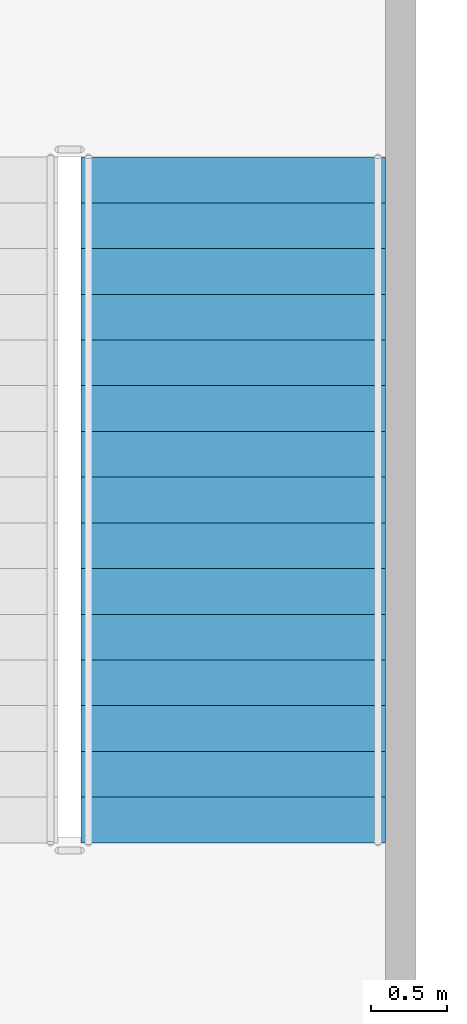
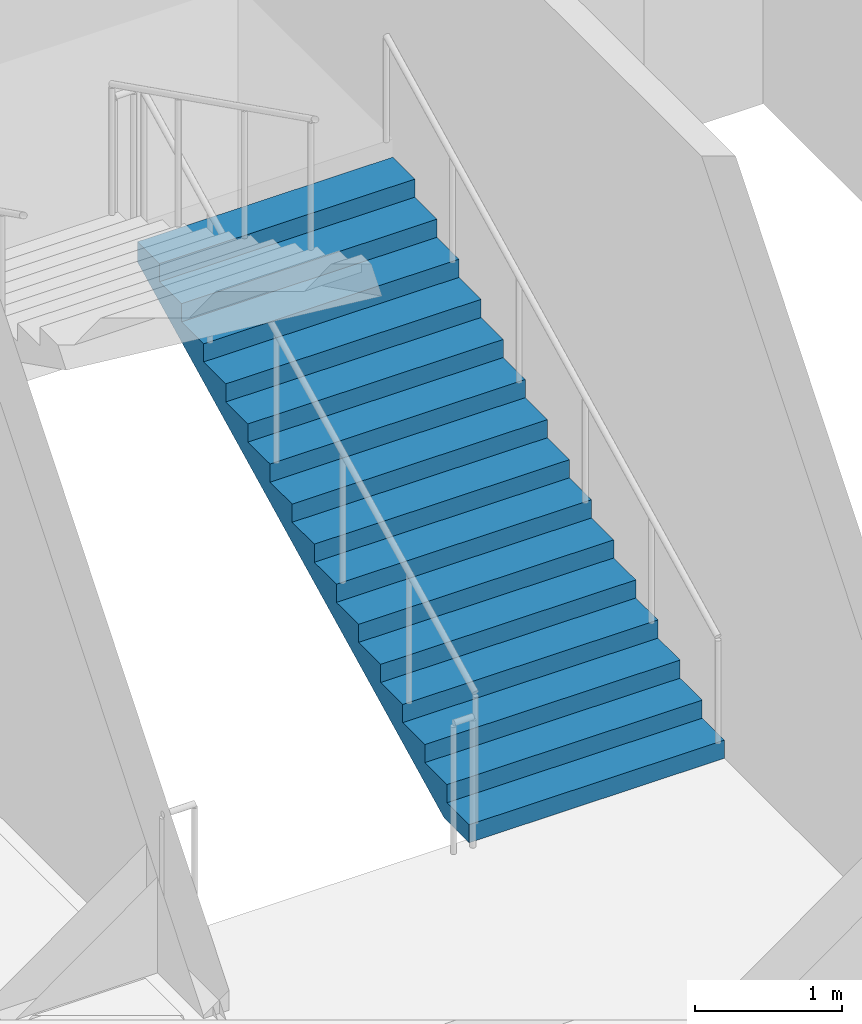
# One storey, part 75 of 100: 1 stair flight, 1 element without a shape of its own.
"""IFC4 building model written with IfcOpenShell, lengths in metres."""

import ifcopenshell
import ifcopenshell.guid

model = None  # the IFC model being written
_history = None  # IfcOwnerHistory: only IFC2X3 demands one
_inside = {}  # id of a spatial element -> (the spatial element, [elements in it])
_under = {}  # id of a project, library or spatial element -> (it, [spatial elements below it])
_declared = {}  # id of a project -> (the project, [libraries it declares])
_typed = {}  # id of a type object -> (the type object, [elements of that type])
_made_of = {}  # id of a material, layer set ... -> (it, [elements and type objects made of it])


def new_model(schema):
    """Start an empty IFC model of exactly this schema.

    Asked for "IFC4X3", IfcOpenShell would pick the latest addendum, in which some entities
    have other attributes; the version numbers below select the first issue.
    IFC2X3 requires an IfcOwnerHistory on every rooted entity: one is made here for all.
    """
    global model, _history
    if schema == "IFC4X3":
        model = ifcopenshell.file(schema_version=(4, 3, 0, 0))
    else:
        model = ifcopenshell.file(schema=schema)
    _inside.clear()
    _under.clear()
    _declared.clear()
    _typed.clear()
    _made_of.clear()
    _history = None
    if model.schema == "IFC2X3":
        org = make("IfcOrganization", Name="unknown")
        user = make(
            "IfcPersonAndOrganization",
            ThePerson=make("IfcPerson", FamilyName="unknown"),
            TheOrganization=org,
        )
        app = make(
            "IfcApplication",
            ApplicationDeveloper=org,
            Version="unknown",
            ApplicationFullName="unknown",
            ApplicationIdentifier="unknown",
        )
        _history = make(
            "IfcOwnerHistory",
            OwningUser=user,
            OwningApplication=app,
            ChangeAction="ADDED",
            CreationDate=0,
        )
    return model


def make(cls, **values):
    """One entity of the class cls with the attributes given. An attribute that is None is left unset."""
    return model.create_entity(
        cls, **{name: value for name, value in values.items() if value is not None}
    )


def rooted(cls, **values):
    """An entity with a GlobalId (a new one), such as an element, a storey or a relation."""
    return make(cls, GlobalId=ifcopenshell.guid.new(), OwnerHistory=_history, **values)


def si_unit(unit_type, name, prefix=None):
    """IfcSIUnit, for example si_unit("LENGTHUNIT", "METRE", prefix="MILLI")."""
    return make("IfcSIUnit", UnitType=unit_type, Prefix=prefix, Name=name)


def assignment(units):
    """IfcUnitAssignment: the units of a project."""
    return None if units is None else make("IfcUnitAssignment", Units=units)


def point(xyz):
    """IfcCartesianPoint."""
    return None if xyz is None else make("IfcCartesianPoint", Coordinates=xyz)


def direction(xyz):
    """IfcDirection."""
    return None if xyz is None else make("IfcDirection", DirectionRatios=xyz)


def frame(location, z_axis=None, x_axis=None):
    """IfcAxis2Placement3D, a coordinate frame: its origin and axes. An axis left out is left unset."""
    return make(
        "IfcAxis2Placement3D",
        Location=point(location),
        Axis=direction(z_axis),
        RefDirection=direction(x_axis),
    )


def origin():
    """The frame at (0, 0, 0) with its axes left unset."""
    return frame((0.0, 0.0, 0.0))


def place(relative_to, where):
    """IfcLocalPlacement: puts the frame where relative to a parent placement (None: the world)."""
    return make(
        "IfcLocalPlacement", PlacementRelTo=relative_to, RelativePlacement=where
    )


def context(
    kind, dimensions, precision=None, world=None, true_north=None, identifier=None
):
    """IfcGeometricRepresentationContext, for example the 3D "Model" context."""
    return make(
        "IfcGeometricRepresentationContext",
        ContextIdentifier=identifier,
        ContextType=kind,
        CoordinateSpaceDimension=dimensions,
        Precision=precision,
        WorldCoordinateSystem=world,
        TrueNorth=true_north,
    )


def subcontext(parent, identifier, kind, view, scale=None):
    """IfcGeometricRepresentationSubContext, for example "Body" below "Model"."""
    return make(
        "IfcGeometricRepresentationSubContext",
        ContextIdentifier=identifier,
        ContextType=kind,
        ParentContext=parent,
        TargetScale=scale,
        TargetView=view,
    )


def project(units=None, contexts=None):
    """IfcProject with its units and contexts."""
    return rooted(
        "IfcProject",
        Name="project",
        RepresentationContexts=contexts,
        UnitsInContext=assignment(units),
    )


def spatial(cls, under=None, at=None, **own):
    """A site, building, storey or space (cls), placed at a placement, below another one or the project."""
    s = rooted(cls, ObjectPlacement=at, **own)
    if under is not None:
        _under.setdefault(under.id(), (under, []))[1].append(s)
    return s


def faces_of(points, faces, orient=None, outer=None):
    """IfcFace entities. A face is a list of loops; a loop is a list of indices into points, from 0.

    orient and outer hold one flag for each loop. By default every Orientation is true, the
    first loop of a face is its IfcFaceOuterBound and the others are IfcFaceBound.
    """
    made = []
    for i, loops in enumerate(faces):
        bounds = []
        for j, loop in enumerate(loops):
            is_outer = j == 0 if outer is None else outer[i][j]
            bounds.append(
                make(
                    "IfcFaceOuterBound" if is_outer else "IfcFaceBound",
                    Bound=make("IfcPolyLoop", Polygon=[points[k] for k in loop]),
                    Orientation=True if orient is None else orient[i][j],
                )
            )
        made.append(make("IfcFace", Bounds=bounds))
    return made


def faceted_brep(points, faces, orient=None, outer=None, voids=None):
    """IfcFacetedBrep: a solid bounded by flat faces; with voids (closed shells), ...WithVoids."""
    shared = [point(p) for p in points]
    hull = make("IfcClosedShell", CfsFaces=faces_of(shared, faces, orient, outer))
    if voids is None:
        return make("IfcFacetedBrep", Outer=hull)
    return make(
        "IfcFacetedBrepWithVoids",
        Outer=hull,
        Voids=[
            make(cls, CfsFaces=faces_of(shared, fs, o, b)) for cls, fs, o, b in voids
        ],
    )


def shape(context_of_items, identifier, shape_type, items):
    """IfcShapeRepresentation: the items that make up one representation, for example the "Body"."""
    return make(
        "IfcShapeRepresentation",
        ContextOfItems=context_of_items,
        RepresentationIdentifier=identifier,
        RepresentationType=shape_type,
        Items=items,
    )


def material(Name=None, Category=None):
    """IfcMaterial."""
    return make("IfcMaterial", Name=Name, Category=Category)


def made_of(thing, what):
    """Note that an element or type object is made of a material, layer set ...; save() writes the relation."""
    if what is not None:
        _made_of.setdefault(what.id(), (what, []))[1].append(thing)
    return thing


def type_object(cls, material=None, **own):
    """A type object (cls), such as IfcWallType, which elements share."""
    return made_of(rooted(cls, **own), material)


def element(
    cls,
    number,
    at=None,
    inside=None,
    cuts=None,
    type_object=None,
    material=None,
    context=None,
    identifier="Body",
    shape_type=None,
    held_by="IfcProductDefinitionShape",
    body=None,
    shapes=None,
    **own,
):
    """One element of the class cls, such as IfcWall. Its Tag is "e" and its number.

    at: its placement. inside: the storey or other place that contains it. cuts: it is an
    opening in that element (IfcRelVoidsElement). A single representation is given by context,
    identifier, shape_type and body (its items); several are given by shapes. held_by: the class
    of the entity that holds the representations. save() writes the other relations.
    """
    e = rooted(cls, Tag="e%d" % number, ObjectPlacement=at, **own)
    if body is not None:
        shapes = [shape(context, identifier, shape_type, body)]
    if shapes is not None:
        e.Representation = make(held_by, Representations=shapes)
    if inside is not None:
        _inside.setdefault(inside.id(), (inside, []))[1].append(e)
    if cuts is not None:
        rooted(
            "IfcRelVoidsElement", RelatingBuildingElement=cuts, RelatedOpeningElement=e
        )
    if type_object is not None:
        _typed.setdefault(type_object.id(), (type_object, []))[1].append(e)
    return made_of(e, material)


def aggregate(whole, parts):
    """IfcRelAggregates: a whole, such as a stair, and the parts it consists of."""
    return rooted("IfcRelAggregates", RelatingObject=whole, RelatedObjects=parts)


def save(model, path):
    """Write the relations noted so far, then the file.

    IfcRelAggregates (storeys below a building ...), IfcRelContainedInSpatialStructure (elements
    in a storey), IfcRelDefinesByType, IfcRelAssociatesMaterial and IfcRelDeclares: one each for
    every whole, place, type object, material and project.
    """
    for whole, parts in _under.values():
        aggregate(whole, parts)
    for where, things in _inside.values():
        rooted(
            "IfcRelContainedInSpatialStructure",
            RelatedElements=things,
            RelatingStructure=where,
        )
    for kind, things in _typed.values():
        rooted("IfcRelDefinesByType", RelatedObjects=things, RelatingType=kind)
    for what, things in _made_of.values():
        rooted("IfcRelAssociatesMaterial", RelatedObjects=things, RelatingMaterial=what)
    for by, libraries in _declared.values():
        rooted("IfcRelDeclares", RelatingContext=by, RelatedDefinitions=libraries)
    model.write(path)


model = new_model("IFC4")

# Units and contexts
model_context = context("Model", 3, precision=1e-05, world=origin(), true_north=direction((0.0, 1.0)))
body_context = subcontext(model_context, "Body", "Model", "MODEL_VIEW")
ifc_project = project(units=[si_unit("LENGTHUNIT", "METRE"), si_unit("AREAUNIT", "SQUARE_METRE"), si_unit("VOLUMEUNIT", "CUBIC_METRE"), si_unit("PLANEANGLEUNIT", "RADIAN"), si_unit("MASSUNIT", "GRAM", prefix="KILO")], contexts=[model_context])

# Site, building, storey
site_placement = place(None, origin())
site = spatial("IfcSite", under=ifc_project, at=site_placement, CompositionType="ELEMENT")
building_placement = place(site_placement, origin())
building = spatial("IfcBuilding", under=site, at=building_placement, Name="Kiln Court Media Centre", CompositionType="ELEMENT")
storey_placement = place(building_placement, frame((0.0, 0.0, 15.0)))
storey = spatial("IfcBuildingStorey", under=building, at=storey_placement, Name="L03", CompositionType="ELEMENT", Elevation=15.0)

# Stair, stair flight
ifc_material_1 = material(Name="Concrete C40/50", Category="concrete")
stair_type = type_object("IfcStairType", Name="Concrete C40/50 dog-leg stair 2000 wide, 150 riser", PredefinedType="HALF_TURN_STAIR", material=ifc_material_1)
stair_placement = place(storey_placement, origin())
stair = element("IfcStair", 1, at=stair_placement, inside=storey, type_object=stair_type, Name="ST-05 L03", PredefinedType="HALF_TURN_STAIR")
ifc_material_2 = material(Name="Concrete C40/50", Category="concrete")
stair_flight_type = type_object("IfcStairFlightType", Name="Concrete C40/50 stair flight 2000 wide, 150 riser, 300 going", PredefinedType="STRAIGHT", material=ifc_material_2)
stair_flight_placement = place(storey_placement, frame((57.60009765625, 18.39990234375, 0.0), z_axis=(0.0, 0.0, 1.0), x_axis=(0.0, 1.0, 0.0)))
stair_flight = element("IfcStairFlight", 2, at=stair_flight_placement, type_object=stair_flight_type, Name="L03-ST-5003 flight 5006", NumberOfRisers=16, NumberOfTreads=15, PredefinedType="STRAIGHT", RiserHeight=0.15, TreadLength=0.3, context=body_context, shape_type="Brep", body=[
    faceted_brep([(0.335205078125, -1.0, 0.0), (4.5, -1.0, 2.08251953125), (4.5, -1.0, 2.25), (4.199951171875, -1.0, 2.25), (4.199951171875, -1.0, 2.10009765625), (3.89990234375, -1.0, 2.10009765625), (3.89990234375, -1.0, 1.949951171875), (3.60009765625, -1.0, 1.949951171875), (3.60009765625, -1.0, 1.800048828125), (3.300048828125, -1.0, 1.800048828125), (3.300048828125, -1.0, 1.64990234375), (3.0, -1.0, 1.64990234375), (3.0, -1.0, 1.5), (2.699951171875, -1.0, 1.5), (2.699951171875, -1.0, 1.35009765625), (2.39990234375, -1.0, 1.35009765625), (2.39990234375, -1.0, 1.199951171875), (2.10009765625, -1.0, 1.199951171875), (2.10009765625, -1.0, 1.050048828125), (1.800048828125, -1.0, 1.050048828125), (1.800048828125, -1.0, 0.89990234375), (1.5, -1.0, 0.89990234375), (1.5, -1.0, 0.75), (1.199951171875, -1.0, 0.75), (1.199951171875, -1.0, 0.60009765625), (0.89990234375, -1.0, 0.60009765625), (0.89990234375, -1.0, 0.449951171875), (0.60009765625, -1.0, 0.449951171875), (0.60009765625, -1.0, 0.300048828125), (0.300048828125, -1.0, 0.300048828125), (0.300048828125, -1.0, 0.14990234375), (0.0, -1.0, 0.14990234375), (0.0, -1.0, 0.0), (0.0, 1.0, 0.0), (0.0, 1.0, 0.14990234375), (0.300048828125, 1.0, 0.14990234375), (0.300048828125, 1.0, 0.300048828125), (0.60009765625, 1.0, 0.300048828125), (0.60009765625, 1.0, 0.449951171875), (0.89990234375, 1.0, 0.449951171875), (0.89990234375, 1.0, 0.60009765625), (1.199951171875, 1.0, 0.60009765625), (1.199951171875, 1.0, 0.75), (1.5, 1.0, 0.75), (1.5, 1.0, 0.89990234375), (1.800048828125, 1.0, 0.89990234375), (1.800048828125, 1.0, 1.050048828125), (2.10009765625, 1.0, 1.050048828125), (2.10009765625, 1.0, 1.199951171875), (2.39990234375, 1.0, 1.199951171875), (2.39990234375, 1.0, 1.35009765625), (2.699951171875, 1.0, 1.35009765625), (2.699951171875, 1.0, 1.5), (3.0, 1.0, 1.5), (3.0, 1.0, 1.64990234375), (3.300048828125, 1.0, 1.64990234375), (3.300048828125, 1.0, 1.800048828125), (3.60009765625, 1.0, 1.800048828125), (3.60009765625, 1.0, 1.949951171875), (3.89990234375, 1.0, 1.949951171875), (3.89990234375, 1.0, 2.10009765625), (4.199951171875, 1.0, 2.10009765625), (4.199951171875, 1.0, 2.25), (4.5, 1.0, 2.25), (4.5, 1.0, 2.08251953125), (0.335205078125, 1.0, 0.0), (4.5, 0.10009765625, 2.08251953125), (0.335205078125, 0.10009765625, 0.0), (4.5, 0.080078125, 2.08251953125), (0.335205078125, 0.080078125, 0.0), (4.5, 0.06005859375, 2.08251953125), (0.335205078125, 0.06005859375, 0.0), (4.5, 0.0400390625, 2.08251953125), (0.335205078125, 0.0400390625, 0.0), (4.5, 0.02001953125, 2.08251953125), (0.335205078125, 0.02001953125, 0.0), (4.5, 0.0, 2.08251953125), (0.335205078125, 0.0, 0.0), (4.5, -0.02001953125, 2.08251953125), (0.335205078125, -0.02001953125, 0.0), (4.5, -0.0400390625, 2.08251953125), (0.335205078125, -0.0400390625, 0.0), (4.5, -0.06005859375, 2.08251953125), (0.335205078125, -0.06005859375, 0.0), (4.5, -0.080078125, 2.08251953125), (0.335205078125, -0.080078125, 0.0), (4.5, -0.10009765625, 2.08251953125), (0.335205078125, -0.10009765625, 0.0), (4.5, 0.10009765625, 2.25), (4.5, 0.080078125, 2.25), (4.5, 0.06005859375, 2.25), (4.5, 0.0400390625, 2.25), (4.5, 0.02001953125, 2.25), (4.5, 0.0, 2.25), (4.5, -0.02001953125, 2.25), (4.5, -0.0400390625, 2.25), (4.5, -0.06005859375, 2.25), (4.5, -0.080078125, 2.25), (4.5, -0.10009765625, 2.25), (4.199951171875, 0.10009765625, 2.25), (4.199951171875, 0.080078125, 2.25), (4.199951171875, 0.06005859375, 2.25), (4.199951171875, 0.0400390625, 2.25), (4.199951171875, 0.02001953125, 2.25), (4.199951171875, 0.0, 2.25), (4.199951171875, -0.02001953125, 2.25), (4.199951171875, -0.0400390625, 2.25), (4.199951171875, -0.06005859375, 2.25), (4.199951171875, -0.080078125, 2.25), (4.199951171875, -0.10009765625, 2.25), (4.199951171875, 0.10009765625, 2.10009765625), (4.199951171875, 0.080078125, 2.10009765625), (4.199951171875, 0.06005859375, 2.10009765625), (4.199951171875, 0.0400390625, 2.10009765625), (4.199951171875, 0.02001953125, 2.10009765625), (4.199951171875, 0.0, 2.10009765625), (4.199951171875, -0.02001953125, 2.10009765625), (4.199951171875, -0.0400390625, 2.10009765625), (4.199951171875, -0.06005859375, 2.10009765625), (4.199951171875, -0.080078125, 2.10009765625), (4.199951171875, -0.10009765625, 2.10009765625), (3.89990234375, 0.10009765625, 2.10009765625), (3.89990234375, 0.080078125, 2.10009765625), (3.89990234375, 0.06005859375, 2.10009765625), (3.89990234375, 0.0400390625, 2.10009765625), (3.89990234375, 0.02001953125, 2.10009765625), (3.89990234375, 0.0, 2.10009765625), (3.89990234375, -0.02001953125, 2.10009765625), (3.89990234375, -0.0400390625, 2.10009765625), (3.89990234375, -0.06005859375, 2.10009765625), (3.89990234375, -0.080078125, 2.10009765625), (3.89990234375, -0.10009765625, 2.10009765625), (3.89990234375, 0.10009765625, 1.949951171875), (3.89990234375, 0.080078125, 1.949951171875), (3.89990234375, 0.06005859375, 1.949951171875), (3.89990234375, 0.0400390625, 1.949951171875), (3.89990234375, 0.02001953125, 1.949951171875), (3.89990234375, 0.0, 1.949951171875), (3.89990234375, -0.02001953125, 1.949951171875), (3.89990234375, -0.0400390625, 1.949951171875), (3.89990234375, -0.06005859375, 1.949951171875), (3.89990234375, -0.080078125, 1.949951171875), (3.89990234375, -0.10009765625, 1.949951171875), (3.60009765625, 0.10009765625, 1.949951171875), (3.60009765625, 0.080078125, 1.949951171875), (3.60009765625, 0.06005859375, 1.949951171875), (3.60009765625, 0.0400390625, 1.949951171875), (3.60009765625, 0.02001953125, 1.949951171875), (3.60009765625, 0.0, 1.949951171875), (3.60009765625, -0.02001953125, 1.949951171875), (3.60009765625, -0.0400390625, 1.949951171875), (3.60009765625, -0.06005859375, 1.949951171875), (3.60009765625, -0.080078125, 1.949951171875), (3.60009765625, -0.10009765625, 1.949951171875), (3.60009765625, 0.10009765625, 1.800048828125), (3.60009765625, 0.080078125, 1.800048828125), (3.60009765625, 0.06005859375, 1.800048828125), (3.60009765625, 0.0400390625, 1.800048828125), (3.60009765625, 0.02001953125, 1.800048828125), (3.60009765625, 0.0, 1.800048828125), (3.60009765625, -0.02001953125, 1.800048828125), (3.60009765625, -0.0400390625, 1.800048828125), (3.60009765625, -0.06005859375, 1.800048828125), (3.60009765625, -0.080078125, 1.800048828125), (3.60009765625, -0.10009765625, 1.800048828125), (3.300048828125, 0.10009765625, 1.800048828125), (3.300048828125, 0.080078125, 1.800048828125), (3.300048828125, 0.06005859375, 1.800048828125), (3.300048828125, 0.0400390625, 1.800048828125), (3.300048828125, 0.02001953125, 1.800048828125), (3.300048828125, 0.0, 1.800048828125), (3.300048828125, -0.02001953125, 1.800048828125), (3.300048828125, -0.0400390625, 1.800048828125), (3.300048828125, -0.06005859375, 1.800048828125), (3.300048828125, -0.080078125, 1.800048828125), (3.300048828125, -0.10009765625, 1.800048828125), (3.300048828125, 0.10009765625, 1.64990234375), (3.300048828125, 0.080078125, 1.64990234375), (3.300048828125, 0.06005859375, 1.64990234375), (3.300048828125, 0.0400390625, 1.64990234375), (3.300048828125, 0.02001953125, 1.64990234375), (3.300048828125, 0.0, 1.64990234375), (3.300048828125, -0.02001953125, 1.64990234375), (3.300048828125, -0.0400390625, 1.64990234375), (3.300048828125, -0.06005859375, 1.64990234375), (3.300048828125, -0.080078125, 1.64990234375), (3.300048828125, -0.10009765625, 1.64990234375), (3.0, 0.10009765625, 1.64990234375), (3.0, 0.080078125, 1.64990234375), (3.0, 0.06005859375, 1.64990234375), (3.0, 0.0400390625, 1.64990234375), (3.0, 0.02001953125, 1.64990234375), (3.0, 0.0, 1.64990234375), (3.0, -0.02001953125, 1.64990234375), (3.0, -0.0400390625, 1.64990234375), (3.0, -0.06005859375, 1.64990234375), (3.0, -0.080078125, 1.64990234375), (3.0, -0.10009765625, 1.64990234375), (3.0, 0.10009765625, 1.5), (3.0, 0.080078125, 1.5), (3.0, 0.06005859375, 1.5), (3.0, 0.0400390625, 1.5), (3.0, 0.02001953125, 1.5), (3.0, 0.0, 1.5), (3.0, -0.02001953125, 1.5), (3.0, -0.0400390625, 1.5), (3.0, -0.06005859375, 1.5), (3.0, -0.080078125, 1.5), (3.0, -0.10009765625, 1.5), (2.699951171875, 0.10009765625, 1.5), (2.699951171875, 0.080078125, 1.5), (2.699951171875, 0.06005859375, 1.5), (2.699951171875, 0.0400390625, 1.5), (2.699951171875, 0.02001953125, 1.5), (2.699951171875, 0.0, 1.5), (2.699951171875, -0.02001953125, 1.5), (2.699951171875, -0.0400390625, 1.5), (2.699951171875, -0.06005859375, 1.5), (2.699951171875, -0.080078125, 1.5), (2.699951171875, -0.10009765625, 1.5), (2.699951171875, 0.10009765625, 1.35009765625), (2.699951171875, 0.080078125, 1.35009765625), (2.699951171875, 0.06005859375, 1.35009765625), (2.699951171875, 0.0400390625, 1.35009765625), (2.699951171875, 0.02001953125, 1.35009765625), (2.699951171875, 0.0, 1.35009765625), (2.699951171875, -0.02001953125, 1.35009765625), (2.699951171875, -0.0400390625, 1.35009765625), (2.699951171875, -0.06005859375, 1.35009765625), (2.699951171875, -0.080078125, 1.35009765625), (2.699951171875, -0.10009765625, 1.35009765625), (2.39990234375, 0.10009765625, 1.35009765625), (2.39990234375, 0.080078125, 1.35009765625), (2.39990234375, 0.06005859375, 1.35009765625), (2.39990234375, 0.0400390625, 1.35009765625), (2.39990234375, 0.02001953125, 1.35009765625), (2.39990234375, 0.0, 1.35009765625), (2.39990234375, -0.02001953125, 1.35009765625), (2.39990234375, -0.0400390625, 1.35009765625), (2.39990234375, -0.06005859375, 1.35009765625), (2.39990234375, -0.080078125, 1.35009765625), (2.39990234375, -0.10009765625, 1.35009765625), (2.39990234375, 0.10009765625, 1.199951171875), (2.39990234375, 0.080078125, 1.199951171875), (2.39990234375, 0.06005859375, 1.199951171875), (2.39990234375, 0.0400390625, 1.199951171875), (2.39990234375, 0.02001953125, 1.199951171875), (2.39990234375, 0.0, 1.199951171875), (2.39990234375, -0.02001953125, 1.199951171875), (2.39990234375, -0.0400390625, 1.199951171875), (2.39990234375, -0.06005859375, 1.199951171875), (2.39990234375, -0.080078125, 1.199951171875), (2.39990234375, -0.10009765625, 1.199951171875), (2.10009765625, 0.10009765625, 1.199951171875), (2.10009765625, 0.080078125, 1.199951171875), (2.10009765625, 0.06005859375, 1.199951171875), (2.10009765625, 0.0400390625, 1.199951171875), (2.10009765625, 0.02001953125, 1.199951171875), (2.10009765625, 0.0, 1.199951171875), (2.10009765625, -0.02001953125, 1.199951171875), (2.10009765625, -0.0400390625, 1.199951171875), (2.10009765625, -0.06005859375, 1.199951171875), (2.10009765625, -0.080078125, 1.199951171875), (2.10009765625, -0.10009765625, 1.199951171875), (2.10009765625, 0.10009765625, 1.050048828125), (2.10009765625, 0.080078125, 1.050048828125), (2.10009765625, 0.06005859375, 1.050048828125), (2.10009765625, 0.0400390625, 1.050048828125), (2.10009765625, 0.02001953125, 1.050048828125), (2.10009765625, 0.0, 1.050048828125), (2.10009765625, -0.02001953125, 1.050048828125), (2.10009765625, -0.0400390625, 1.050048828125), (2.10009765625, -0.06005859375, 1.050048828125), (2.10009765625, -0.080078125, 1.050048828125), (2.10009765625, -0.10009765625, 1.050048828125), (1.800048828125, 0.10009765625, 1.050048828125), (1.800048828125, 0.080078125, 1.050048828125), (1.800048828125, 0.06005859375, 1.050048828125), (1.800048828125, 0.0400390625, 1.050048828125), (1.800048828125, 0.02001953125, 1.050048828125), (1.800048828125, 0.0, 1.050048828125), (1.800048828125, -0.02001953125, 1.050048828125), (1.800048828125, -0.0400390625, 1.050048828125), (1.800048828125, -0.06005859375, 1.050048828125), (1.800048828125, -0.080078125, 1.050048828125), (1.800048828125, -0.10009765625, 1.050048828125), (1.800048828125, 0.10009765625, 0.89990234375), (1.800048828125, 0.080078125, 0.89990234375), (1.800048828125, 0.06005859375, 0.89990234375), (1.800048828125, 0.0400390625, 0.89990234375), (1.800048828125, 0.02001953125, 0.89990234375), (1.800048828125, 0.0, 0.89990234375), (1.800048828125, -0.02001953125, 0.89990234375), (1.800048828125, -0.0400390625, 0.89990234375), (1.800048828125, -0.06005859375, 0.89990234375), (1.800048828125, -0.080078125, 0.89990234375), (1.800048828125, -0.10009765625, 0.89990234375), (1.5, 0.10009765625, 0.89990234375), (1.5, 0.080078125, 0.89990234375), (1.5, 0.06005859375, 0.89990234375), (1.5, 0.0400390625, 0.89990234375), (1.5, 0.02001953125, 0.89990234375), (1.5, 0.0, 0.89990234375), (1.5, -0.02001953125, 0.89990234375), (1.5, -0.0400390625, 0.89990234375), (1.5, -0.06005859375, 0.89990234375), (1.5, -0.080078125, 0.89990234375), (1.5, -0.10009765625, 0.89990234375), (1.5, 0.10009765625, 0.75), (1.5, 0.080078125, 0.75), (1.5, 0.06005859375, 0.75), (1.5, 0.0400390625, 0.75), (1.5, 0.02001953125, 0.75), (1.5, 0.0, 0.75), (1.5, -0.02001953125, 0.75), (1.5, -0.0400390625, 0.75), (1.5, -0.06005859375, 0.75), (1.5, -0.080078125, 0.75), (1.5, -0.10009765625, 0.75), (1.199951171875, 0.10009765625, 0.75), (1.199951171875, 0.080078125, 0.75), (1.199951171875, 0.06005859375, 0.75), (1.199951171875, 0.0400390625, 0.75), (1.199951171875, 0.02001953125, 0.75), (1.199951171875, 0.0, 0.75), (1.199951171875, -0.02001953125, 0.75), (1.199951171875, -0.0400390625, 0.75), (1.199951171875, -0.06005859375, 0.75), (1.199951171875, -0.080078125, 0.75), (1.199951171875, -0.10009765625, 0.75), (1.199951171875, 0.10009765625, 0.60009765625), (1.199951171875, 0.080078125, 0.60009765625), (1.199951171875, 0.06005859375, 0.60009765625), (1.199951171875, 0.0400390625, 0.60009765625), (1.199951171875, 0.02001953125, 0.60009765625), (1.199951171875, 0.0, 0.60009765625), (1.199951171875, -0.02001953125, 0.60009765625), (1.199951171875, -0.0400390625, 0.60009765625), (1.199951171875, -0.06005859375, 0.60009765625), (1.199951171875, -0.080078125, 0.60009765625), (1.199951171875, -0.10009765625, 0.60009765625), (0.89990234375, 0.10009765625, 0.60009765625), (0.89990234375, 0.080078125, 0.60009765625), (0.89990234375, 0.06005859375, 0.60009765625), (0.89990234375, 0.0400390625, 0.60009765625), (0.89990234375, 0.02001953125, 0.60009765625), (0.89990234375, 0.0, 0.60009765625), (0.89990234375, -0.02001953125, 0.60009765625), (0.89990234375, -0.0400390625, 0.60009765625), (0.89990234375, -0.06005859375, 0.60009765625), (0.89990234375, -0.080078125, 0.60009765625), (0.89990234375, -0.10009765625, 0.60009765625), (0.89990234375, 0.10009765625, 0.449951171875), (0.89990234375, 0.080078125, 0.449951171875), (0.89990234375, 0.06005859375, 0.449951171875), (0.89990234375, 0.0400390625, 0.449951171875), (0.89990234375, 0.02001953125, 0.449951171875), (0.89990234375, 0.0, 0.449951171875), (0.89990234375, -0.02001953125, 0.449951171875), (0.89990234375, -0.0400390625, 0.449951171875), (0.89990234375, -0.06005859375, 0.449951171875), (0.89990234375, -0.080078125, 0.449951171875), (0.89990234375, -0.10009765625, 0.449951171875), (0.60009765625, 0.10009765625, 0.449951171875), (0.60009765625, 0.080078125, 0.449951171875), (0.60009765625, 0.06005859375, 0.449951171875), (0.60009765625, 0.0400390625, 0.449951171875), (0.60009765625, 0.02001953125, 0.449951171875), (0.60009765625, 0.0, 0.449951171875), (0.60009765625, -0.02001953125, 0.449951171875), (0.60009765625, -0.0400390625, 0.449951171875), (0.60009765625, -0.06005859375, 0.449951171875), (0.60009765625, -0.080078125, 0.449951171875), (0.60009765625, -0.10009765625, 0.449951171875), (0.60009765625, 0.10009765625, 0.300048828125), (0.60009765625, 0.080078125, 0.300048828125), (0.60009765625, 0.06005859375, 0.300048828125), (0.60009765625, 0.0400390625, 0.300048828125), (0.60009765625, 0.02001953125, 0.300048828125), (0.60009765625, 0.0, 0.300048828125), (0.60009765625, -0.02001953125, 0.300048828125), (0.60009765625, -0.0400390625, 0.300048828125), (0.60009765625, -0.06005859375, 0.300048828125), (0.60009765625, -0.080078125, 0.300048828125), (0.60009765625, -0.10009765625, 0.300048828125), (0.300048828125, 0.10009765625, 0.300048828125), (0.300048828125, 0.080078125, 0.300048828125), (0.300048828125, 0.06005859375, 0.300048828125), (0.300048828125, 0.0400390625, 0.300048828125), (0.300048828125, 0.02001953125, 0.300048828125), (0.300048828125, 0.0, 0.300048828125), (0.300048828125, -0.02001953125, 0.300048828125), (0.300048828125, -0.0400390625, 0.300048828125), (0.300048828125, -0.06005859375, 0.300048828125), (0.300048828125, -0.080078125, 0.300048828125), (0.300048828125, -0.10009765625, 0.300048828125), (0.300048828125, 0.10009765625, 0.14990234375), (0.300048828125, 0.080078125, 0.14990234375), (0.300048828125, 0.06005859375, 0.14990234375), (0.300048828125, 0.0400390625, 0.14990234375), (0.300048828125, 0.02001953125, 0.14990234375), (0.300048828125, 0.0, 0.14990234375), (0.300048828125, -0.02001953125, 0.14990234375), (0.300048828125, -0.0400390625, 0.14990234375), (0.300048828125, -0.06005859375, 0.14990234375), (0.300048828125, -0.080078125, 0.14990234375), (0.300048828125, -0.10009765625, 0.14990234375), (0.0, 0.10009765625, 0.14990234375), (0.0, 0.080078125, 0.14990234375), (0.0, 0.06005859375, 0.14990234375), (0.0, 0.0400390625, 0.14990234375), (0.0, 0.02001953125, 0.14990234375), (0.0, 0.0, 0.14990234375), (0.0, -0.02001953125, 0.14990234375), (0.0, -0.0400390625, 0.14990234375), (0.0, -0.06005859375, 0.14990234375), (0.0, -0.080078125, 0.14990234375), (0.0, -0.10009765625, 0.14990234375), (0.0, 0.10009765625, 0.0), (0.0, 0.080078125, 0.0), (0.0, 0.06005859375, 0.0), (0.0, 0.0400390625, 0.0), (0.0, 0.02001953125, 0.0), (0.0, 0.0, 0.0), (0.0, -0.02001953125, 0.0), (0.0, -0.0400390625, 0.0), (0.0, -0.06005859375, 0.0), (0.0, -0.080078125, 0.0), (0.0, -0.10009765625, 0.0)], [[[0, 1, 2, 3, 4, 5, 6, 7, 8, 9, 10, 11, 12, 13, 14, 15, 16, 17, 18, 19, 20, 21, 22, 23, 24, 25, 26, 27, 28, 29, 30, 31, 32]], [[33, 34, 35, 36, 37, 38, 39, 40, 41, 42, 43, 44, 45, 46, 47, 48, 49, 50, 51, 52, 53, 54, 55, 56, 57, 58, 59, 60, 61, 62, 63, 64, 65]], [[65, 64, 66, 67]], [[67, 66, 68, 69]], [[69, 68, 70, 71]], [[71, 70, 72, 73]], [[73, 72, 74, 75]], [[75, 74, 76, 77]], [[77, 76, 78, 79]], [[79, 78, 80, 81]], [[81, 80, 82, 83]], [[83, 82, 84, 85]], [[85, 84, 86, 87]], [[87, 86, 1, 0]], [[64, 63, 88, 66]], [[66, 88, 89, 68]], [[68, 89, 90, 70]], [[70, 90, 91, 72]], [[72, 91, 92, 74]], [[74, 92, 93, 76]], [[76, 93, 94, 78]], [[78, 94, 95, 80]], [[80, 95, 96, 82]], [[82, 96, 97, 84]], [[84, 97, 98, 86]], [[86, 98, 2, 1]], [[63, 62, 99, 88]], [[88, 99, 100, 89]], [[89, 100, 101, 90]], [[90, 101, 102, 91]], [[91, 102, 103, 92]], [[92, 103, 104, 93]], [[93, 104, 105, 94]], [[94, 105, 106, 95]], [[95, 106, 107, 96]], [[96, 107, 108, 97]], [[97, 108, 109, 98]], [[98, 109, 3, 2]], [[62, 61, 110, 99]], [[99, 110, 111, 100]], [[100, 111, 112, 101]], [[101, 112, 113, 102]], [[102, 113, 114, 103]], [[103, 114, 115, 104]], [[104, 115, 116, 105]], [[105, 116, 117, 106]], [[106, 117, 118, 107]], [[107, 118, 119, 108]], [[108, 119, 120, 109]], [[109, 120, 4, 3]], [[61, 60, 121, 110]], [[110, 121, 122, 111]], [[111, 122, 123, 112]], [[112, 123, 124, 113]], [[113, 124, 125, 114]], [[114, 125, 126, 115]], [[115, 126, 127, 116]], [[116, 127, 128, 117]], [[117, 128, 129, 118]], [[118, 129, 130, 119]], [[119, 130, 131, 120]], [[120, 131, 5, 4]], [[60, 59, 132, 121]], [[121, 132, 133, 122]], [[122, 133, 134, 123]], [[123, 134, 135, 124]], [[124, 135, 136, 125]], [[125, 136, 137, 126]], [[126, 137, 138, 127]], [[127, 138, 139, 128]], [[128, 139, 140, 129]], [[129, 140, 141, 130]], [[130, 141, 142, 131]], [[131, 142, 6, 5]], [[59, 58, 143, 132]], [[132, 143, 144, 133]], [[133, 144, 145, 134]], [[134, 145, 146, 135]], [[135, 146, 147, 136]], [[136, 147, 148, 137]], [[137, 148, 149, 138]], [[138, 149, 150, 139]], [[139, 150, 151, 140]], [[140, 151, 152, 141]], [[141, 152, 153, 142]], [[142, 153, 7, 6]], [[58, 57, 154, 143]], [[143, 154, 155, 144]], [[144, 155, 156, 145]], [[145, 156, 157, 146]], [[146, 157, 158, 147]], [[147, 158, 159, 148]], [[148, 159, 160, 149]], [[149, 160, 161, 150]], [[150, 161, 162, 151]], [[151, 162, 163, 152]], [[152, 163, 164, 153]], [[153, 164, 8, 7]], [[57, 56, 165, 154]], [[154, 165, 166, 155]], [[155, 166, 167, 156]], [[156, 167, 168, 157]], [[157, 168, 169, 158]], [[158, 169, 170, 159]], [[159, 170, 171, 160]], [[160, 171, 172, 161]], [[161, 172, 173, 162]], [[162, 173, 174, 163]], [[163, 174, 175, 164]], [[164, 175, 9, 8]], [[56, 55, 176, 165]], [[165, 176, 177, 166]], [[166, 177, 178, 167]], [[167, 178, 179, 168]], [[168, 179, 180, 169]], [[169, 180, 181, 170]], [[170, 181, 182, 171]], [[171, 182, 183, 172]], [[172, 183, 184, 173]], [[173, 184, 185, 174]], [[174, 185, 186, 175]], [[175, 186, 10, 9]], [[55, 54, 187, 176]], [[176, 187, 188, 177]], [[177, 188, 189, 178]], [[178, 189, 190, 179]], [[179, 190, 191, 180]], [[180, 191, 192, 181]], [[181, 192, 193, 182]], [[182, 193, 194, 183]], [[183, 194, 195, 184]], [[184, 195, 196, 185]], [[185, 196, 197, 186]], [[186, 197, 11, 10]], [[54, 53, 198, 187]], [[187, 198, 199, 188]], [[188, 199, 200, 189]], [[189, 200, 201, 190]], [[190, 201, 202, 191]], [[191, 202, 203, 192]], [[192, 203, 204, 193]], [[193, 204, 205, 194]], [[194, 205, 206, 195]], [[195, 206, 207, 196]], [[196, 207, 208, 197]], [[197, 208, 12, 11]], [[53, 52, 209, 198]], [[198, 209, 210, 199]], [[199, 210, 211, 200]], [[200, 211, 212, 201]], [[201, 212, 213, 202]], [[202, 213, 214, 203]], [[203, 214, 215, 204]], [[204, 215, 216, 205]], [[205, 216, 217, 206]], [[206, 217, 218, 207]], [[207, 218, 219, 208]], [[208, 219, 13, 12]], [[52, 51, 220, 209]], [[209, 220, 221, 210]], [[210, 221, 222, 211]], [[211, 222, 223, 212]], [[212, 223, 224, 213]], [[213, 224, 225, 214]], [[214, 225, 226, 215]], [[215, 226, 227, 216]], [[216, 227, 228, 217]], [[217, 228, 229, 218]], [[218, 229, 230, 219]], [[219, 230, 14, 13]], [[51, 50, 231, 220]], [[220, 231, 232, 221]], [[221, 232, 233, 222]], [[222, 233, 234, 223]], [[223, 234, 235, 224]], [[224, 235, 236, 225]], [[225, 236, 237, 226]], [[226, 237, 238, 227]], [[227, 238, 239, 228]], [[228, 239, 240, 229]], [[229, 240, 241, 230]], [[230, 241, 15, 14]], [[50, 49, 242, 231]], [[231, 242, 243, 232]], [[232, 243, 244, 233]], [[233, 244, 245, 234]], [[234, 245, 246, 235]], [[235, 246, 247, 236]], [[236, 247, 248, 237]], [[237, 248, 249, 238]], [[238, 249, 250, 239]], [[239, 250, 251, 240]], [[240, 251, 252, 241]], [[241, 252, 16, 15]], [[49, 48, 253, 242]], [[242, 253, 254, 243]], [[243, 254, 255, 244]], [[244, 255, 256, 245]], [[245, 256, 257, 246]], [[246, 257, 258, 247]], [[247, 258, 259, 248]], [[248, 259, 260, 249]], [[249, 260, 261, 250]], [[250, 261, 262, 251]], [[251, 262, 263, 252]], [[252, 263, 17, 16]], [[48, 47, 264, 253]], [[253, 264, 265, 254]], [[254, 265, 266, 255]], [[255, 266, 267, 256]], [[256, 267, 268, 257]], [[257, 268, 269, 258]], [[258, 269, 270, 259]], [[259, 270, 271, 260]], [[260, 271, 272, 261]], [[261, 272, 273, 262]], [[262, 273, 274, 263]], [[263, 274, 18, 17]], [[47, 46, 275, 264]], [[264, 275, 276, 265]], [[265, 276, 277, 266]], [[266, 277, 278, 267]], [[267, 278, 279, 268]], [[268, 279, 280, 269]], [[269, 280, 281, 270]], [[270, 281, 282, 271]], [[271, 282, 283, 272]], [[272, 283, 284, 273]], [[273, 284, 285, 274]], [[274, 285, 19, 18]], [[46, 45, 286, 275]], [[275, 286, 287, 276]], [[276, 287, 288, 277]], [[277, 288, 289, 278]], [[278, 289, 290, 279]], [[279, 290, 291, 280]], [[280, 291, 292, 281]], [[281, 292, 293, 282]], [[282, 293, 294, 283]], [[283, 294, 295, 284]], [[284, 295, 296, 285]], [[285, 296, 20, 19]], [[45, 44, 297, 286]], [[286, 297, 298, 287]], [[287, 298, 299, 288]], [[288, 299, 300, 289]], [[289, 300, 301, 290]], [[290, 301, 302, 291]], [[291, 302, 303, 292]], [[292, 303, 304, 293]], [[293, 304, 305, 294]], [[294, 305, 306, 295]], [[295, 306, 307, 296]], [[296, 307, 21, 20]], [[44, 43, 308, 297]], [[297, 308, 309, 298]], [[298, 309, 310, 299]], [[299, 310, 311, 300]], [[300, 311, 312, 301]], [[301, 312, 313, 302]], [[302, 313, 314, 303]], [[303, 314, 315, 304]], [[304, 315, 316, 305]], [[305, 316, 317, 306]], [[306, 317, 318, 307]], [[307, 318, 22, 21]], [[43, 42, 319, 308]], [[308, 319, 320, 309]], [[309, 320, 321, 310]], [[310, 321, 322, 311]], [[311, 322, 323, 312]], [[312, 323, 324, 313]], [[313, 324, 325, 314]], [[314, 325, 326, 315]], [[315, 326, 327, 316]], [[316, 327, 328, 317]], [[317, 328, 329, 318]], [[318, 329, 23, 22]], [[42, 41, 330, 319]], [[319, 330, 331, 320]], [[320, 331, 332, 321]], [[321, 332, 333, 322]], [[322, 333, 334, 323]], [[323, 334, 335, 324]], [[324, 335, 336, 325]], [[325, 336, 337, 326]], [[326, 337, 338, 327]], [[327, 338, 339, 328]], [[328, 339, 340, 329]], [[329, 340, 24, 23]], [[41, 40, 341, 330]], [[330, 341, 342, 331]], [[331, 342, 343, 332]], [[332, 343, 344, 333]], [[333, 344, 345, 334]], [[334, 345, 346, 335]], [[335, 346, 347, 336]], [[336, 347, 348, 337]], [[337, 348, 349, 338]], [[338, 349, 350, 339]], [[339, 350, 351, 340]], [[340, 351, 25, 24]], [[40, 39, 352, 341]], [[341, 352, 353, 342]], [[342, 353, 354, 343]], [[343, 354, 355, 344]], [[344, 355, 356, 345]], [[345, 356, 357, 346]], [[346, 357, 358, 347]], [[347, 358, 359, 348]], [[348, 359, 360, 349]], [[349, 360, 361, 350]], [[350, 361, 362, 351]], [[351, 362, 26, 25]], [[39, 38, 363, 352]], [[352, 363, 364, 353]], [[353, 364, 365, 354]], [[354, 365, 366, 355]], [[355, 366, 367, 356]], [[356, 367, 368, 357]], [[357, 368, 369, 358]], [[358, 369, 370, 359]], [[359, 370, 371, 360]], [[360, 371, 372, 361]], [[361, 372, 373, 362]], [[362, 373, 27, 26]], [[38, 37, 374, 363]], [[363, 374, 375, 364]], [[364, 375, 376, 365]], [[365, 376, 377, 366]], [[366, 377, 378, 367]], [[367, 378, 379, 368]], [[368, 379, 380, 369]], [[369, 380, 381, 370]], [[370, 381, 382, 371]], [[371, 382, 383, 372]], [[372, 383, 384, 373]], [[373, 384, 28, 27]], [[37, 36, 385, 374]], [[374, 385, 386, 375]], [[375, 386, 387, 376]], [[376, 387, 388, 377]], [[377, 388, 389, 378]], [[378, 389, 390, 379]], [[379, 390, 391, 380]], [[380, 391, 392, 381]], [[381, 392, 393, 382]], [[382, 393, 394, 383]], [[383, 394, 395, 384]], [[384, 395, 29, 28]], [[36, 35, 396, 385]], [[385, 396, 397, 386]], [[386, 397, 398, 387]], [[387, 398, 399, 388]], [[388, 399, 400, 389]], [[389, 400, 401, 390]], [[390, 401, 402, 391]], [[391, 402, 403, 392]], [[392, 403, 404, 393]], [[393, 404, 405, 394]], [[394, 405, 406, 395]], [[395, 406, 30, 29]], [[35, 34, 407, 396]], [[396, 407, 408, 397]], [[397, 408, 409, 398]], [[398, 409, 410, 399]], [[399, 410, 411, 400]], [[400, 411, 412, 401]], [[401, 412, 413, 402]], [[402, 413, 414, 403]], [[403, 414, 415, 404]], [[404, 415, 416, 405]], [[405, 416, 417, 406]], [[406, 417, 31, 30]], [[34, 33, 418, 407]], [[407, 418, 419, 408]], [[408, 419, 420, 409]], [[409, 420, 421, 410]], [[410, 421, 422, 411]], [[411, 422, 423, 412]], [[412, 423, 424, 413]], [[413, 424, 425, 414]], [[414, 425, 426, 415]], [[415, 426, 427, 416]], [[416, 427, 428, 417]], [[417, 428, 32, 31]], [[33, 65, 67, 418]], [[418, 67, 69, 419]], [[419, 69, 71, 420]], [[420, 71, 73, 421]], [[421, 73, 75, 422]], [[422, 75, 77, 423]], [[423, 77, 79, 424]], [[424, 79, 81, 425]], [[425, 81, 83, 426]], [[426, 83, 85, 427]], [[427, 85, 87, 428]], [[428, 87, 0, 32]]]),
])
aggregate(stair, [stair_flight])

save(model, "model.ifc")
